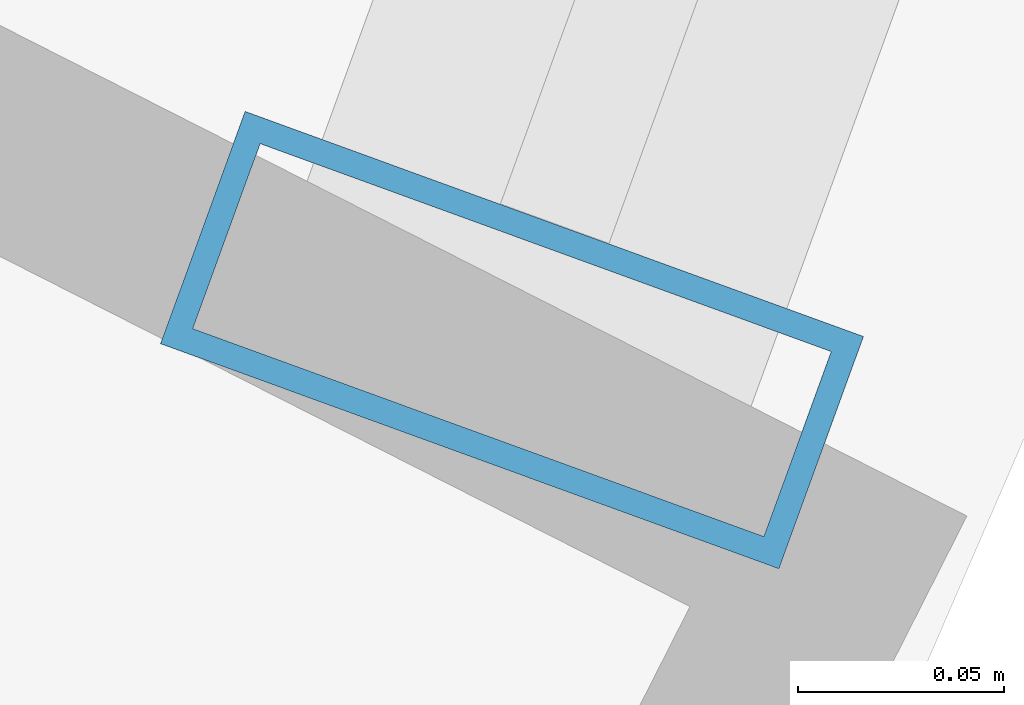
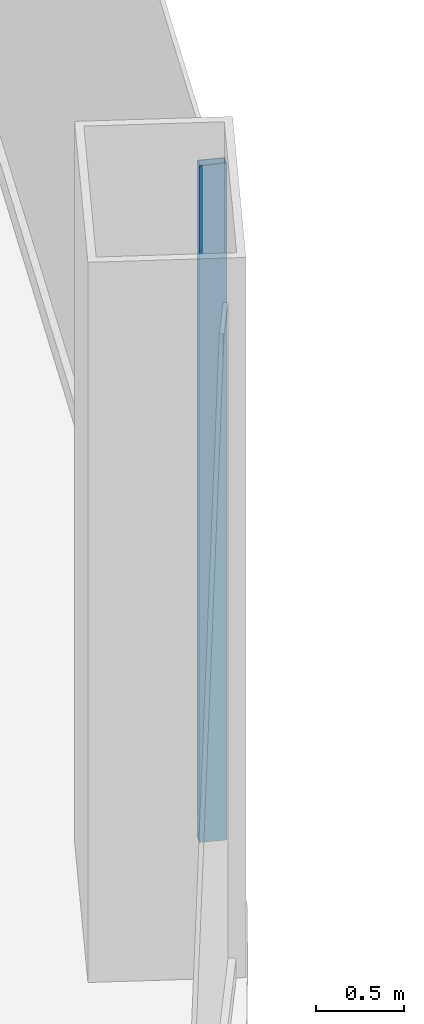
# One storey, part 15 of 48: 1 member, 1 element without a shape of its own.
"""IFC4 building model written with IfcOpenShell, lengths in metres."""

from ifc_helpers import new_model, si_unit, direction, frame, origin, origin_2d, place, context, subcontext, project, spatial, hollow_rectangle, extrude, material, layer, layer_set, material_profile, profile_set, type_object, element, aggregate, save


model = new_model("IFC4")

# Units and contexts
model_context = context("Model", 3, precision=1e-05, world=origin(), true_north=direction((0.0, 1.0)))
body_context = subcontext(model_context, "Body", "Model", "MODEL_VIEW")
ifc_project = project(units=[si_unit("LENGTHUNIT", "METRE"), si_unit("AREAUNIT", "SQUARE_METRE"), si_unit("VOLUMEUNIT", "CUBIC_METRE"), si_unit("PLANEANGLEUNIT", "RADIAN"), si_unit("MASSUNIT", "GRAM", prefix="KILO")], contexts=[model_context])

# Site, building, storey
site_placement = place(None, origin())
site = spatial("IfcSite", under=ifc_project, at=site_placement, CompositionType="ELEMENT")
building_placement = place(site_placement, origin())
building = spatial("IfcBuilding", under=site, at=building_placement, Name="Nagisa Residences", CompositionType="ELEMENT")
storey_placement = place(building_placement, frame((0.0, 0.0, 12.0)))
storey = spatial("IfcBuildingStorey", under=building, at=storey_placement, Name="L02", CompositionType="ELEMENT", Elevation=12.0)

# Curtain wall, member
ifc_material_1 = material(Name="Stainless steel curtain wall system", Category="steel")
ifc_layer = layer(ifc_material_1, 0.159912109375)
ifc_layer_set = layer_set([ifc_layer], Name="CW6 CURTAIN WALL")
curtain_wall_type = type_object("IfcCurtainWallType", Name="CW6 CURTAIN WALL", PredefinedType="NOTDEFINED", material=ifc_layer_set)
curtain_wall_placement = place(storey_placement, origin())
curtain_wall = element("IfcCurtainWall", 1, at=curtain_wall_placement, inside=storey, type_object=curtain_wall_type, Name="cw:CW6:L02:44", PredefinedType="NOTDEFINED")
ifc_material_2 = material(Name="Stainless steel", Category="steel")
ifc_material_profile = material_profile(ifc_material_2, hollow_rectangle(XDim=0.159912109375, YDim=0.06005859375, WallThickness=0.006103515625, at=origin_2d()), Name="CW6 MULLION 160x60")
ifc_profile_set = profile_set([ifc_material_profile], Name="Stainless steel")
member_type = type_object("IfcMemberType", Name="CW6 MULLION 160x60", PredefinedType="MULLION", material=ifc_profile_set)
member_placement = place(storey_placement, frame((28.88916015625, -15.78662109375, 0.0), z_axis=(0.0, 0.0, 1.0), x_axis=(-0.939681861718, 0.342049702176, 0.0)))
member = element("IfcMember", 2, at=member_placement, type_object=member_type, Name="CW6 mullion", PredefinedType="MULLION", context=body_context, shape_type="SweptSolid", body=[
    extrude(hollow_rectangle(XDim=0.159912109375, YDim=0.06005859375, WallThickness=0.006103515625, at=origin_2d()), origin(), (0.0, 0.0, 1.0), 4.699951171875),
])
aggregate(curtain_wall, [member])

save(model, "model.ifc")
